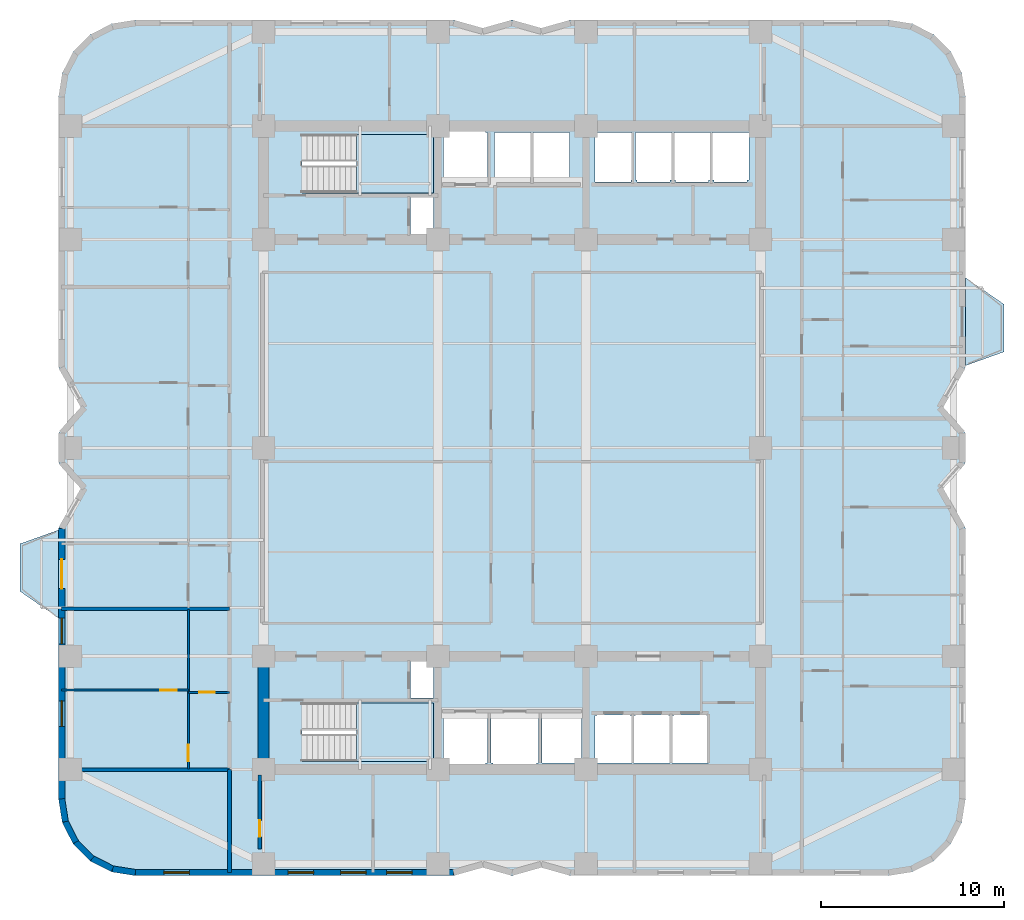
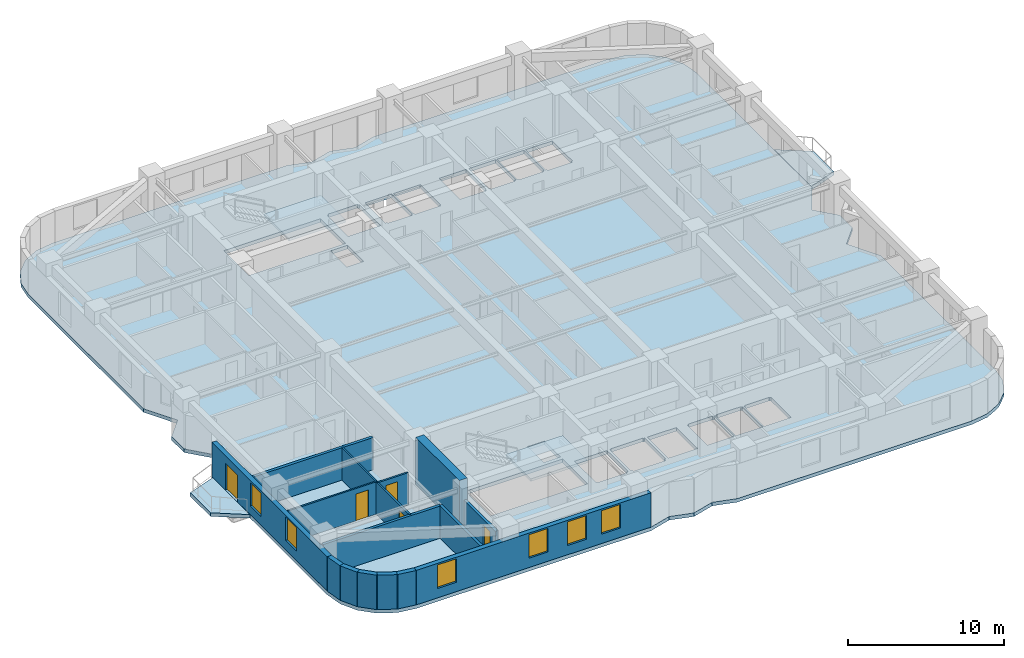
# One storey, part 2 of 9: 15 walls, 6 windows, 5 doors, 5 slabs, 11 openings, 2 elements without a shape of their own.
"""IFC4 building model written with IfcOpenShell, lengths in metres."""

from ifc_helpers import new_model, si_unit, direction, frame, frame_2d, origin, place, context, subcontext, project, spatial, polyline, rectangle, outline, extrude, material, layer, layer_set, type_object, element, fill, aggregate, save


model = new_model("IFC4")

# Units and contexts
model_context = context("Model", 3, precision=1e-05, world=origin(), true_north=direction((0.0, 1.0)))
body_context = subcontext(model_context, "Body", "Model", "MODEL_VIEW")
ifc_project = project(units=[si_unit("LENGTHUNIT", "METRE"), si_unit("AREAUNIT", "SQUARE_METRE"), si_unit("VOLUMEUNIT", "CUBIC_METRE"), si_unit("PLANEANGLEUNIT", "RADIAN"), si_unit("MASSUNIT", "GRAM", prefix="KILO")], contexts=[model_context])

# Site, building, storey
site_placement = place(None, origin())
site = spatial("IfcSite", under=ifc_project, at=site_placement, CompositionType="ELEMENT")
building_placement = place(site_placement, origin())
building = spatial("IfcBuilding", under=site, at=building_placement, Name="Svetorya Sky Lyceum", CompositionType="ELEMENT")
storey_placement = place(building_placement, frame((0.0, 0.0, 51.0)))
storey = spatial("IfcBuildingStorey", under=building, at=storey_placement, Name="L12", CompositionType="ELEMENT", Elevation=51.0)

# Slabs
ifc_material_1 = material(Name="Concrete C40/50", Category="concrete")
ifc_layer_1 = layer(ifc_material_1, 0.280029296875)
ifc_layer_set_1 = layer_set([ifc_layer_1], Name="Concrete C40/50")
slab_type_1 = type_object("IfcSlabType", Name="SL-BAL-280", PredefinedType="FLOOR", material=ifc_layer_set_1)
slab_1_placement = place(storey_placement, frame((0.0, 0.0, -0.280029296875)))
element("IfcSlab", 1, at=slab_1_placement, inside=storey, type_object=slab_type_1, Name="L12 Chamfered Loggia Balcony BAL-W1", PredefinedType="FLOOR", context=body_context, shape_type="SweptSolid", body=[
    extrude(outline(polyline([(14.389892578125, 18.89990234375), (14.389892578125, 23.699951171875), (12.2900390625, 22.949951171875), (12.2900390625, 20.35009765625), (14.389892578125, 18.89990234375)])), origin(), (0.0, 0.0, 1.0), 0.280029296875),
])
slab_2_placement = place(storey_placement, frame((0.0, 0.0, -0.280029296875)))
element("IfcSlab", 2, at=slab_2_placement, inside=storey, type_object=slab_type_1, Name="L12 Chamfered Loggia Balcony BAL-E1", PredefinedType="FLOOR", context=body_context, shape_type="SweptSolid", body=[
    extrude(outline(polyline([(64.010009765625, 32.699951171875), (66.110107421875, 33.449951171875), (66.110107421875, 36.050048828125), (64.010009765625, 37.5), (64.010009765625, 32.699951171875)])), origin(), (0.0, 0.0, 1.0), 0.280029296875),
])

# Stair, slab
stair_type_1 = type_object("IfcStairType", Name="STR-ST-S", PredefinedType="HALF_TURN_STAIR", material=ifc_material_1)
stair_1_placement = place(storey_placement, origin())
stair_1 = element("IfcStair", 3, at=stair_1_placement, inside=storey, type_object=stair_type_1, Name="L12 South Core Smoke-Free Exit Stair N2", PredefinedType="HALF_TURN_STAIR")
ifc_layer_2 = layer(ifc_material_1, 0.199951171875)
ifc_layer_set_2 = layer_set([ifc_layer_2], Name="Concrete C40/50")
slab_type_2 = type_object("IfcSlabType", Name="SL-STR-LAND-200", PredefinedType="LANDING", material=ifc_layer_set_2)
slab_3_placement = place(storey_placement, frame((0.0, 0.0, 1.64990234375)))
slab_3 = element("IfcSlab", 4, at=slab_3_placement, type_object=slab_type_2, Name="ST-S landing 1", PredefinedType="LANDING", context=body_context, shape_type="SweptSolid", body=[
    extrude(outline(polyline([(30.699951171875, 11.050048828125), (34.89990234375, 11.050048828125), (34.89990234375, 14.25), (30.699951171875, 14.25), (30.699951171875, 11.050048828125)])), origin(), (0.0, 0.0, 1.0), 0.2001953125),
])
aggregate(stair_1, [slab_3])

stair_type_2 = type_object("IfcStairType", Name="STR-ST-N", PredefinedType="HALF_TURN_STAIR", material=ifc_material_1)
stair_2_placement = place(storey_placement, origin())
stair_2 = element("IfcStair", 5, at=stair_2_placement, inside=storey, type_object=stair_type_2, Name="L12 North Core Smoke-Free Exit Stair N3", PredefinedType="HALF_TURN_STAIR")
slab_4_placement = place(storey_placement, frame((0.0, 0.0, 1.64990234375)))
slab_4 = element("IfcSlab", 6, at=slab_4_placement, type_object=slab_type_2, Name="ST-N landing 1", PredefinedType="LANDING", context=body_context, shape_type="SweptSolid", body=[
    extrude(outline(polyline([(30.699951171875, 42.14990234375), (34.89990234375, 42.14990234375), (34.89990234375, 45.35009765625), (30.699951171875, 45.35009765625), (30.699951171875, 42.14990234375)])), origin(), (0.0, 0.0, 1.0), 0.2001953125),
])
aggregate(stair_2, [slab_4])

# Slab
ifc_material_2 = material(Name="Concrete C50/60", Category="concrete")
ifc_layer_3 = layer(ifc_material_2, 0.280029296875)
ifc_layer_set_3 = layer_set([ifc_layer_3], Name="Concrete C50/60")
slab_type_3 = type_object("IfcSlabType", Name="SL-TWR-280", PredefinedType="FLOOR", material=ifc_layer_set_3)
slab_5_placement = place(storey_placement, frame((0.0, 0.0, -0.280029296875)))
element("IfcSlab", 7, at=slab_5_placement, inside=storey, type_object=slab_type_3, Name="L12 Structural Floor Slab", PredefinedType="FLOOR", context=body_context, shape_type="SweptSolid", body=[
    extrude(outline(polyline([(14.39990234375, 9.0), (14.605712890625, 7.7021484375), (15.2021484375, 6.53125), (16.13134765625, 5.60205078125), (17.302001953125, 5.005615234375), (18.60009765625, 4.800048828125), (36.0, 4.800048828125), (37.60009765625, 5.25), (39.199951171875, 4.800048828125), (40.800048828125, 5.25), (42.39990234375, 4.800048828125), (59.800048828125, 4.800048828125), (61.097900390625, 5.005615234375), (62.268798828125, 5.60205078125), (63.197998046875, 6.53125), (63.79443359375, 7.7021484375), (64.0, 9.0), (64.0, 23.800048828125), (62.75, 26.0), (64.0, 27.39990234375), (64.0, 29.0), (62.75, 30.39990234375), (64.0, 32.60009765625), (64.0, 47.39990234375), (63.79443359375, 48.697998046875), (63.197998046875, 49.86865234375), (62.268798828125, 50.7978515625), (61.097900390625, 51.394287109375), (59.800048828125, 51.60009765625), (42.39990234375, 51.60009765625), (40.800048828125, 51.14990234375), (39.199951171875, 51.60009765625), (37.60009765625, 51.14990234375), (36.0, 51.60009765625), (18.60009765625, 51.60009765625), (17.302001953125, 51.394287109375), (16.13134765625, 50.7978515625), (15.2021484375, 49.86865234375), (14.605712890625, 48.697998046875), (14.39990234375, 47.39990234375), (14.39990234375, 32.60009765625), (15.64990234375, 30.39990234375), (14.39990234375, 29.0), (14.39990234375, 27.39990234375), (15.64990234375, 26.0), (14.39990234375, 23.800048828125), (14.39990234375, 9.0)]), holes=[polyline([(35.550048828125, 13.64990234375), (37.75, 13.64990234375), (37.85009765625, 13.64990234375), (37.85009765625, 10.949951171875), (37.75, 10.949951171875), (37.75, 10.85009765625), (35.550048828125, 10.85009765625), (35.550048828125, 10.949951171875), (35.449951171875, 10.949951171875), (35.449951171875, 13.64990234375), (35.550048828125, 13.64990234375)]), polyline([(40.64990234375, 10.949951171875), (40.550048828125, 10.949951171875), (40.550048828125, 10.800048828125), (38.14990234375, 10.800048828125), (38.14990234375, 10.949951171875), (38.050048828125, 10.949951171875), (38.050048828125, 13.64990234375), (38.14990234375, 13.64990234375), (38.14990234375, 13.699951171875), (40.550048828125, 13.699951171875), (40.550048828125, 13.64990234375), (40.64990234375, 13.64990234375), (40.64990234375, 10.949951171875)]), polyline([(40.85009765625, 13.64990234375), (43.0, 13.64990234375), (43.0, 10.949951171875), (40.85009765625, 10.949951171875), (40.85009765625, 13.64990234375)]), polyline([(27.719970703125, 14.25), (34.89990234375, 14.25), (34.89990234375, 11.050048828125), (27.719970703125, 11.050048828125), (27.719970703125, 14.25)]), polyline([(33.64990234375, 16.580078125), (34.89990234375, 16.580078125), (34.89990234375, 14.52001953125), (33.64990234375, 14.52001953125), (33.64990234375, 16.580078125)]), polyline([(33.64990234375, 39.820068359375), (33.64990234375, 41.89990234375), (34.89990234375, 41.89990234375), (34.89990234375, 39.820068359375), (33.64990234375, 39.820068359375)]), polyline([(27.719970703125, 45.35009765625), (34.89990234375, 45.35009765625), (34.89990234375, 42.14990234375), (27.719970703125, 42.14990234375), (27.719970703125, 45.35009765625)]), polyline([(35.550048828125, 42.75), (35.449951171875, 42.75), (35.449951171875, 45.449951171875), (35.550048828125, 45.449951171875), (35.550048828125, 45.550048828125), (37.75, 45.550048828125), (37.75, 45.449951171875), (37.85009765625, 45.449951171875), (37.85009765625, 42.75), (37.75, 42.75), (35.550048828125, 42.75)]), polyline([(40.199951171875, 42.85009765625), (40.199951171875, 42.75), (38.39990234375, 42.75), (38.39990234375, 42.85009765625), (38.25, 42.85009765625), (38.25, 45.449951171875), (38.39990234375, 45.449951171875), (40.199951171875, 45.449951171875), (40.25, 45.449951171875), (40.25, 42.85009765625), (40.199951171875, 42.85009765625)]), polyline([(40.39990234375, 42.85009765625), (40.35009765625, 42.85009765625), (40.35009765625, 45.449951171875), (40.39990234375, 45.449951171875), (42.300048828125, 45.449951171875), (42.35009765625, 45.449951171875), (42.35009765625, 42.85009765625), (42.300048828125, 42.85009765625), (42.300048828125, 42.75), (40.39990234375, 42.75), (40.39990234375, 42.85009765625)]), polyline([(43.85009765625, 10.949951171875), (43.75, 10.949951171875), (43.75, 13.550048828125), (43.85009765625, 13.550048828125), (43.85009765625, 13.60009765625), (45.64990234375, 13.60009765625), (45.64990234375, 13.550048828125), (45.75, 13.550048828125), (45.75, 10.949951171875), (45.64990234375, 10.949951171875), (43.85009765625, 10.949951171875)]), polyline([(45.949951171875, 10.949951171875), (45.85009765625, 10.949951171875), (45.85009765625, 13.550048828125), (45.949951171875, 13.550048828125), (45.949951171875, 13.60009765625), (47.75, 13.60009765625), (47.75, 13.550048828125), (47.85009765625, 13.550048828125), (47.85009765625, 10.949951171875), (47.75, 10.949951171875), (45.949951171875, 10.949951171875)]), polyline([(49.85009765625, 13.550048828125), (49.949951171875, 13.550048828125), (49.949951171875, 10.949951171875), (49.85009765625, 10.949951171875), (48.050048828125, 10.949951171875), (47.949951171875, 10.949951171875), (47.949951171875, 13.550048828125), (48.050048828125, 13.550048828125), (48.050048828125, 13.60009765625), (49.85009765625, 13.60009765625), (49.85009765625, 13.550048828125)]), polyline([(43.75, 42.85009765625), (43.75, 45.449951171875), (45.699951171875, 45.449951171875), (45.75, 45.449951171875), (45.75, 42.85009765625), (45.699951171875, 42.85009765625), (45.699951171875, 42.75), (43.75, 42.75), (43.75, 42.85009765625)]), polyline([(46.050048828125, 42.85009765625), (45.949951171875, 42.85009765625), (45.949951171875, 45.449951171875), (46.050048828125, 45.449951171875), (47.85009765625, 45.449951171875), (47.949951171875, 45.449951171875), (47.949951171875, 42.85009765625), (47.85009765625, 42.85009765625), (47.85009765625, 42.75), (46.050048828125, 42.75), (46.050048828125, 42.85009765625)]), polyline([(48.14990234375, 42.85009765625), (48.050048828125, 42.85009765625), (48.050048828125, 45.449951171875), (48.14990234375, 45.449951171875), (49.949951171875, 45.449951171875), (50.050048828125, 45.449951171875), (50.050048828125, 42.85009765625), (49.949951171875, 42.85009765625), (49.949951171875, 42.75), (48.14990234375, 42.75), (48.14990234375, 42.85009765625)]), polyline([(50.25, 42.85009765625), (50.14990234375, 42.85009765625), (50.14990234375, 45.449951171875), (50.25, 45.449951171875), (52.050048828125, 45.449951171875), (52.14990234375, 45.449951171875), (52.14990234375, 42.85009765625), (52.050048828125, 42.85009765625), (52.050048828125, 42.75), (50.25, 42.75), (50.25, 42.85009765625)])]), origin(), (0.0, 0.0, 1.0), 0.280029296875),
])

# Walls
ifc_material_3 = material(Name="Concrete C60/75", Category="concrete")
ifc_layer_4 = layer(ifc_material_3, 0.60009765625)
ifc_layer_set_4 = layer_set([ifc_layer_4], Name="Concrete C60/75")
wall_type_1 = type_object("IfcWallType", Name="WL-CORE-600", PredefinedType="SHEAR", material=ifc_layer_set_4)
wall_1_placement = place(storey_placement, frame((25.60009765625, 10.89990234375, 0.0), z_axis=(0.0, 0.0, 1.0), x_axis=(0.0, 1.0, 0.0)))
element("IfcWall", 8, at=wall_1_placement, inside=storey, type_object=wall_type_1, Name="L12 SC West Core Shear Wall", PredefinedType="SHEAR", context=body_context, shape_type="SweptSolid", body=[
    extrude(rectangle(XDim=5.60009765625, YDim=0.60009765625, at=frame_2d((2.800048828125, 0.0))), origin(), (0.0, 0.0, 1.0), 3.699951171875),
])
ifc_material_4 = material(Name="Putilovo limestone rainscreen on autoclaved cellular masonry", Category="masonry")
ifc_layer_5 = layer(ifc_material_4, 0.340087890625)
ifc_layer_set_5 = layer_set([ifc_layer_5], Name="Putilovo limestone rainscreen on autoclaved cellular masonry")
wall_type_2 = type_object("IfcWallType", Name="WL-EXT-340", PredefinedType="SOLIDWALL", material=ifc_layer_set_5)
wall_2_placement = place(storey_placement, frame((14.570068359375, 9.0, 0.0), z_axis=(0.0, 0.0, 1.0), x_axis=(0.156260864002, -0.98771582066, 0.0)))
element("IfcWall", 9, at=wall_2_placement, inside=storey, type_object=wall_type_2, Name="L12 Limestone Exterior Wall 1M", PredefinedType="SOLIDWALL", context=body_context, shape_type="SweptSolid", body=[
    extrude(rectangle(XDim=1.2607421875, YDim=0.340087890625, at=frame_2d((0.63037109375, 0.0))), origin(), (0.0, 0.0, 1.0), 2.699951171875),
])
wall_3_placement = place(storey_placement, frame((14.76708984375, 7.754638671875, 0.0), z_axis=(0.0, 0.0, 1.0), x_axis=(0.454015689056, -0.890993689142, 0.0)))
element("IfcWall", 10, at=wall_3_placement, inside=storey, type_object=wall_type_2, Name="L12 Limestone Exterior Wall 2M", PredefinedType="SOLIDWALL", context=body_context, shape_type="SweptSolid", body=[
    extrude(rectangle(XDim=1.260986328125, YDim=0.340087890625, at=frame_2d((0.63037109375, 0.0))), origin(), (0.0, 0.0, 1.0), 2.699951171875),
])
wall_4_placement = place(storey_placement, frame((15.339599609375, 6.631103515625, 0.0), z_axis=(0.0, 0.0, 1.0), x_axis=(0.707203598708, -0.707009950407, 0.0)))
element("IfcWall", 11, at=wall_4_placement, inside=storey, type_object=wall_type_2, Name="L12 Limestone Exterior Wall 3M", PredefinedType="SOLIDWALL", context=body_context, shape_type="SweptSolid", body=[
    extrude(rectangle(XDim=1.2607421875, YDim=0.340087890625, at=frame_2d((0.63037109375, 0.0))), origin(), (0.0, 0.0, 1.0), 2.699951171875),
])
for number, where, z_axis, x_axis, name in (
    (12, (16.231201171875, 5.73974609375, 0.0), (0.0, 0.0, 1.0), (0.890993689142, -0.454015689056, 0.0), "L12 Limestone Exterior Wall 4M"),
    (13, (17.354736328125, 5.167236328125, 0.0), (0.0, 0.0, 1.0), (0.987685918112, -0.15644975923, 0.0), "L12 Limestone Exterior Wall 5M"),
):
    element("IfcWall", number, at=place(storey_placement, frame(where, z_axis=z_axis, x_axis=x_axis)), inside=storey, type_object=wall_type_2, Name=name, PredefinedType="SOLIDWALL", context=body_context, shape_type="SweptSolid", body=[
        extrude(rectangle(XDim=1.260986328125, YDim=0.340087890625, at=frame_2d((0.63037109375, 0.0))), origin(), (0.0, 0.0, 1.0), 2.699951171875),
    ])

# Wall, openings, windows
wall_5_placement = place(storey_placement, frame((18.60009765625, 4.969970703125, 0.0), z_axis=(0.0, 0.0, 1.0), x_axis=(1.0, 0.0, 0.0)))
wall_5 = element("IfcWall", 14, at=wall_5_placement, inside=storey, type_object=wall_type_2, Name="L12 Limestone Exterior Wall 6M", PredefinedType="SOLIDWALL", context=body_context, shape_type="SweptSolid", body=[
    extrude(rectangle(XDim=17.39990234375, YDim=0.340087890625, at=frame_2d((8.699951171875, 0.0))), origin(), (0.0, 0.0, 1.0), 2.699951171875),
])
opening_1_placement = place(wall_5_placement, frame((1.56005859375, 0.0, 0.72998046875)))
opening_1 = element("IfcOpeningElement", 15, at=opening_1_placement, cuts=wall_5, Name="Opening W-R2", PredefinedType="OPENING", context=body_context, shape_type="SweptSolid", body=[
    extrude(rectangle(XDim=1.39990234375, YDim=1.85009765625, at=frame_2d((0.699951171875, 0.925048828125))), frame((0.0, 0.179931640625, 0.0), z_axis=(0.0, -1.0, 0.0), x_axis=(1.0, 0.0, 0.0)), (0.0, 0.0, 1.0), 0.360107421875),
])
opening_2_placement = place(wall_5_placement, frame((8.35009765625, 0.0, 0.72998046875)))
opening_2 = element("IfcOpeningElement", 16, at=opening_2_placement, cuts=wall_5, Name="Opening W-R2", PredefinedType="OPENING", context=body_context, shape_type="SweptSolid", body=[
    extrude(rectangle(XDim=1.39990234375, YDim=1.85009765625, at=frame_2d((0.699951171875, 0.925048828125))), frame((0.0, 0.179931640625, 0.0), z_axis=(0.0, -1.0, 0.0), x_axis=(1.0, 0.0, 0.0)), (0.0, 0.0, 1.0), 0.360107421875),
])
opening_3_placement = place(wall_5_placement, frame((11.219970703125, 0.0, 0.72998046875)))
opening_3 = element("IfcOpeningElement", 17, at=opening_3_placement, cuts=wall_5, Name="Opening W-R2", PredefinedType="OPENING", context=body_context, shape_type="SweptSolid", body=[
    extrude(rectangle(XDim=1.39990234375, YDim=1.85009765625, at=frame_2d((0.699951171875, 0.925048828125))), frame((0.0, 0.179931640625, 0.0), z_axis=(0.0, -1.0, 0.0), x_axis=(1.0, 0.0, 0.0)), (0.0, 0.0, 1.0), 0.360107421875),
])
opening_4_placement = place(wall_5_placement, frame((13.739990234375, 0.0, 0.72998046875)))
opening_4 = element("IfcOpeningElement", 18, at=opening_4_placement, cuts=wall_5, Name="Opening W-R2", PredefinedType="OPENING", context=body_context, shape_type="SweptSolid", body=[
    extrude(rectangle(XDim=1.39990234375, YDim=1.85009765625, at=frame_2d((0.699951171875, 0.925048828125))), frame((0.0, 0.179931640625, 0.0), z_axis=(0.0, -1.0, 0.0), x_axis=(1.0, 0.0, 0.0)), (0.0, 0.0, 1.0), 0.360107421875),
])
ifc_material_5 = material(Name="Thermally broken aluminium frame with triple low-E glazing", Category="aluminium")
window_type = type_object("IfcWindowType", Name="WN-RES-140", PartitioningType="SINGLE_PANEL", PredefinedType="WINDOW", material=ifc_material_5)
window_1_placement = place(opening_1_placement, origin())
window_1 = element("IfcWindow", 19, at=window_1_placement, inside=storey, type_object=window_type, Name="L12 Facade Window W-R2.6M.1", OverallHeight=1.85009765625, OverallWidth=1.39990234375, PartitioningType="SINGLE_PANEL", PredefinedType="WINDOW", context=body_context, shape_type="SweptSolid", body=[
    extrude(rectangle(XDim=1.39990234375, YDim=1.85009765625, at=frame_2d((0.699951171875, 0.925048828125))), frame((0.0, 0.030029296875, 0.0), z_axis=(0.0, -1.0, 0.0), x_axis=(1.0, 0.0, 0.0)), (0.0, 0.0, 1.0), 0.06005859375),
])
fill(opening_1, window_1)
window_2_placement = place(opening_2_placement, origin())
window_2 = element("IfcWindow", 20, at=window_2_placement, inside=storey, type_object=window_type, Name="L12 Facade Window W-R2.6M.2", OverallHeight=1.85009765625, OverallWidth=1.39990234375, PartitioningType="SINGLE_PANEL", PredefinedType="WINDOW", context=body_context, shape_type="SweptSolid", body=[
    extrude(rectangle(XDim=1.39990234375, YDim=1.85009765625, at=frame_2d((0.699951171875, 0.925048828125))), frame((0.0, 0.030029296875, 0.0), z_axis=(0.0, -1.0, 0.0), x_axis=(1.0, 0.0, 0.0)), (0.0, 0.0, 1.0), 0.06005859375),
])
fill(opening_2, window_2)
window_3_placement = place(opening_3_placement, origin())
window_3 = element("IfcWindow", 21, at=window_3_placement, inside=storey, type_object=window_type, Name="L12 Facade Window W-R2.6M.3", OverallHeight=1.85009765625, OverallWidth=1.39990234375, PartitioningType="SINGLE_PANEL", PredefinedType="WINDOW", context=body_context, shape_type="SweptSolid", body=[
    extrude(rectangle(XDim=1.39990234375, YDim=1.85009765625, at=frame_2d((0.699951171875, 0.925048828125))), frame((0.0, 0.030029296875, 0.0), z_axis=(0.0, -1.0, 0.0), x_axis=(1.0, 0.0, 0.0)), (0.0, 0.0, 1.0), 0.06005859375),
])
fill(opening_3, window_3)
window_4_placement = place(opening_4_placement, origin())
window_4 = element("IfcWindow", 22, at=window_4_placement, inside=storey, type_object=window_type, Name="L12 Facade Window W-R2.6M.4", OverallHeight=1.85009765625, OverallWidth=1.39990234375, PartitioningType="SINGLE_PANEL", PredefinedType="WINDOW", context=body_context, shape_type="SweptSolid", body=[
    extrude(rectangle(XDim=1.39990234375, YDim=1.85009765625, at=frame_2d((0.699951171875, 0.925048828125))), frame((0.0, 0.030029296875, 0.0), z_axis=(0.0, -1.0, 0.0), x_axis=(1.0, 0.0, 0.0)), (0.0, 0.0, 1.0), 0.06005859375),
])
fill(opening_4, window_4)

# Wall, openings, door, windows
wall_6_placement = place(storey_placement, frame((14.570068359375, 23.800048828125, 0.0), z_axis=(0.0, 0.0, 1.0), x_axis=(0.0, -1.0, 0.0)))
wall_6 = element("IfcWall", 23, at=wall_6_placement, inside=storey, type_object=wall_type_2, Name="L12 Limestone Exterior Wall 46M", PredefinedType="SOLIDWALL", context=body_context, shape_type="SweptSolid", body=[
    extrude(rectangle(XDim=14.800048828125, YDim=0.340087890625, at=frame_2d((7.39990234375, 0.0))), origin(), (0.0, 0.0, 1.0), 2.699951171875),
])
opening_5_placement = place(wall_6_placement, frame((1.699951171875, 0.0, 0.0)))
opening_5 = element("IfcOpeningElement", 24, at=opening_5_placement, cuts=wall_6, Name="Opening D-BL1", PredefinedType="OPENING", context=body_context, shape_type="SweptSolid", body=[
    extrude(rectangle(XDim=1.60009765625, YDim=2.10009765625, at=frame_2d((0.800048828125, 1.050048828125))), frame((0.0, 0.179931640625, 0.0), z_axis=(0.0, -1.0, 0.0), x_axis=(1.0, 0.0, 0.0)), (0.0, 0.0, 1.0), 0.360107421875),
])
opening_6_placement = place(wall_6_placement, frame((4.919921875, 0.0, 0.68994140625)))
opening_6 = element("IfcOpeningElement", 25, at=opening_6_placement, cuts=wall_6, Name="Opening W-R2", PredefinedType="OPENING", context=body_context, shape_type="SweptSolid", body=[
    extrude(rectangle(XDim=1.39990234375, YDim=1.85009765625, at=frame_2d((0.699951171875, 0.925048828125))), frame((0.0, 0.179931640625, 0.0), z_axis=(0.0, -1.0, 0.0), x_axis=(1.0, 0.0, 0.0)), (0.0, 0.0, 1.0), 0.360107421875),
])
opening_7_placement = place(wall_6_placement, frame((9.4375, 0.0, 0.72998046875)))
opening_7 = element("IfcOpeningElement", 26, at=opening_7_placement, cuts=wall_6, Name="Opening W-R2", PredefinedType="OPENING", context=body_context, shape_type="SweptSolid", body=[
    extrude(rectangle(XDim=1.39990234375, YDim=1.85009765625, at=frame_2d((0.699951171875, 0.925048828125))), frame((0.0, 0.179931640625, 0.0), z_axis=(0.0, -1.0, 0.0), x_axis=(1.0, 0.0, 0.0)), (0.0, 0.0, 1.0), 0.360107421875),
])
ifc_material_6 = material(Name="Insulated glazed aluminium balcony door", Category="aluminium")
door_type_1 = type_object("IfcDoorType", Name="DR-BAL-1600", OperationType="DOUBLE_DOOR_SINGLE_SWING", PredefinedType="DOOR", material=ifc_material_6)
door_1_placement = place(opening_5_placement, origin())
door_1 = element("IfcDoor", 27, at=door_1_placement, inside=storey, type_object=door_type_1, Name="L12 Balcony BAL-W1 Door", OperationType="DOUBLE_DOOR_SINGLE_SWING", OverallHeight=2.10009765625, OverallWidth=1.60009765625, PredefinedType="DOOR", context=body_context, shape_type="SweptSolid", body=[
    extrude(rectangle(XDim=1.60009765625, YDim=2.10009765625, at=frame_2d((0.800048828125, 1.050048828125))), frame((0.0, 0.02490234375, 0.0), z_axis=(0.0, -1.0, 0.0), x_axis=(1.0, 0.0, 0.0)), (0.0, 0.0, 1.0), 0.050048828125),
])
fill(opening_5, door_1)
window_5_placement = place(opening_6_placement, origin())
window_5 = element("IfcWindow", 28, at=window_5_placement, inside=storey, type_object=window_type, Name="L12 Facade Window W-R2.46M.2", OverallHeight=1.85009765625, OverallWidth=1.39990234375, PartitioningType="SINGLE_PANEL", PredefinedType="WINDOW", context=body_context, shape_type="SweptSolid", body=[
    extrude(rectangle(XDim=1.39990234375, YDim=1.85009765625, at=frame_2d((0.699951171875, 0.925048828125))), frame((0.0, 0.030029296875, 0.0), z_axis=(0.0, -1.0, 0.0), x_axis=(1.0, 0.0, 0.0)), (0.0, 0.0, 1.0), 0.06005859375),
])
fill(opening_6, window_5)
window_6_placement = place(opening_7_placement, origin())
window_6 = element("IfcWindow", 29, at=window_6_placement, inside=storey, type_object=window_type, Name="L12 Facade Window W-R2.46M.1", OverallHeight=1.85009765625, OverallWidth=1.39990234375, PartitioningType="SINGLE_PANEL", PredefinedType="WINDOW", context=body_context, shape_type="SweptSolid", body=[
    extrude(rectangle(XDim=1.39990234375, YDim=1.85009765625, at=frame_2d((0.699951171875, 0.925048828125))), frame((0.0, 0.030029296875, 0.0), z_axis=(0.0, -1.0, 0.0), x_axis=(1.0, 0.0, 0.0)), (0.0, 0.0, 1.0), 0.06005859375),
])
fill(opening_7, window_6)

# Wall, opening, door
ifc_material_7 = material(Name="Twin-stud galvanized framing with double fireboard", Category="gypsum")
ifc_layer_6 = layer(ifc_material_7, 0.1201171875)
ifc_layer_set_6 = layer_set([ifc_layer_6], Name="Twin-stud galvanized framing with double fireboard")
wall_type_3 = type_object("IfcWallType", Name="WL-PART-120", PredefinedType="PARTITIONING", material=ifc_layer_set_6)
wall_7_placement = place(storey_placement, frame((21.5, 14.820068359375, 0.0), z_axis=(0.0, 0.0, 1.0), x_axis=(1.0, 0.0, 0.0)))
wall_7 = element("IfcWall", 30, at=wall_7_placement, inside=storey, type_object=wall_type_3, Name="L12 Interior Partition W1-WH1", PredefinedType="PARTITIONING", context=body_context, shape_type="SweptSolid", body=[
    extrude(rectangle(XDim=2.25, YDim=0.1201171875, at=frame_2d((1.125, 0.0))), origin(), (0.0, 0.0, 1.0), 2.530029296875),
])
opening_8_placement = place(wall_7_placement, frame((0.60009765625, 0.0, 0.0)))
opening_8 = element("IfcOpeningElement", 31, at=opening_8_placement, cuts=wall_7, Name="Opening D-BT1", PredefinedType="OPENING", context=body_context, shape_type="SweptSolid", body=[
    extrude(rectangle(XDim=0.85009765625, YDim=2.10009765625, at=frame_2d((0.425048828125, 1.050048828125))), frame((0.0, 0.070068359375, 0.0), z_axis=(0.0, -1.0, 0.0), x_axis=(1.0, 0.0, 0.0)), (0.0, 0.0, 1.0), 0.14013671875),
])
ifc_material_8 = material(Name="Moisture-resistant laminate bathroom door")
door_type_2 = type_object("IfcDoorType", Name="DR-WET-850", OperationType="SINGLE_SWING_LEFT", PredefinedType="DOOR", material=ifc_material_8)
door_2_placement = place(opening_8_placement, origin())
door_2 = element("IfcDoor", 32, at=door_2_placement, inside=storey, type_object=door_type_2, Name="Apartment W1 Bathroom Door", OperationType="SINGLE_SWING_LEFT", OverallHeight=2.10009765625, OverallWidth=0.85009765625, PredefinedType="DOOR", context=body_context, shape_type="SweptSolid", body=[
    extrude(rectangle(XDim=0.85009765625, YDim=2.10009765625, at=frame_2d((0.425048828125, 1.050048828125))), frame((0.0, 0.02490234375, 0.0), z_axis=(0.0, -1.0, 0.0), x_axis=(1.0, 0.0, 0.0)), (0.0, 0.0, 1.0), 0.050048828125),
])
fill(opening_8, door_2)

wall_8_placement = place(storey_placement, frame((14.570068359375, 14.949951171875, 0.0), z_axis=(0.0, 0.0, 1.0), x_axis=(1.0, 0.0, 0.0)))
wall_8 = element("IfcWall", 33, at=wall_8_placement, inside=storey, type_object=wall_type_3, Name="L12 Interior Partition W1-WL1", PredefinedType="PARTITIONING", context=body_context, shape_type="SweptSolid", body=[
    extrude(rectangle(XDim=6.929931640625, YDim=0.1201171875, at=frame_2d((3.46484375, 0.0))), origin(), (0.0, 0.0, 1.0), 2.530029296875),
])
opening_9_placement = place(wall_8_placement, frame((5.3798828125, 0.0, 0.0)))
opening_9 = element("IfcOpeningElement", 34, at=opening_9_placement, cuts=wall_8, Name="Opening D-RM1", PredefinedType="OPENING", context=body_context, shape_type="SweptSolid", body=[
    extrude(rectangle(XDim=0.89990234375, YDim=2.10009765625, at=frame_2d((0.449951171875, 1.050048828125))), frame((0.0, 0.070068359375, 0.0), z_axis=(0.0, -1.0, 0.0), x_axis=(1.0, 0.0, 0.0)), (0.0, 0.0, 1.0), 0.14013671875),
])
ifc_material_9 = material(Name="Lacquered birch veneer internal door")
door_type_3 = type_object("IfcDoorType", Name="DR-INT-900", OperationType="SINGLE_SWING_LEFT", PredefinedType="DOOR", material=ifc_material_9)
door_3_placement = place(opening_9_placement, origin())
door_3 = element("IfcDoor", 35, at=door_3_placement, inside=storey, type_object=door_type_3, Name="Apartment W1 Bedroom 1 Door", OperationType="SINGLE_SWING_LEFT", OverallHeight=2.10009765625, OverallWidth=0.89990234375, PredefinedType="DOOR", context=body_context, shape_type="SweptSolid", body=[
    extrude(rectangle(XDim=0.89990234375, YDim=2.10009765625, at=frame_2d((0.449951171875, 1.050048828125))), frame((0.0, 0.02490234375, 0.0), z_axis=(0.0, -1.0, 0.0), x_axis=(1.0, 0.0, 0.0)), (0.0, 0.0, 1.0), 0.050048828125),
])
fill(opening_9, door_3)

wall_9_placement = place(storey_placement, frame((21.5, 10.639892578125, 0.0), z_axis=(0.0, 0.0, 1.0), x_axis=(0.0, 1.0, 0.0)))
wall_9 = element("IfcWall", 36, at=wall_9_placement, inside=storey, type_object=wall_type_3, Name="L12 Interior Partition W1-WV", PredefinedType="PARTITIONING", context=body_context, shape_type="SweptSolid", body=[
    extrude(rectangle(XDim=8.72021484375, YDim=0.1201171875, at=frame_2d((4.360107421875, 0.0))), origin(), (0.0, 0.0, 1.0), 2.530029296875),
])
opening_10_placement = place(wall_9_placement, frame((0.409912109375, 0.0, 0.0)))
opening_10 = element("IfcOpeningElement", 37, at=opening_10_placement, cuts=wall_9, Name="Opening D-RM1", PredefinedType="OPENING", context=body_context, shape_type="SweptSolid", body=[
    extrude(rectangle(XDim=0.89990234375, YDim=2.10009765625, at=frame_2d((0.449951171875, 1.050048828125))), frame((0.0, 0.070068359375, 0.0), z_axis=(0.0, -1.0, 0.0), x_axis=(1.0, 0.0, 0.0)), (0.0, 0.0, 1.0), 0.14013671875),
])
door_4_placement = place(opening_10_placement, origin())
door_4 = element("IfcDoor", 38, at=door_4_placement, inside=storey, type_object=door_type_3, Name="Apartment W1 Living Door", OperationType="SINGLE_SWING_RIGHT", OverallHeight=2.10009765625, OverallWidth=0.89990234375, PredefinedType="DOOR", context=body_context, shape_type="SweptSolid", body=[
    extrude(rectangle(XDim=0.89990234375, YDim=2.10009765625, at=frame_2d((0.449951171875, 1.050048828125))), frame((0.0, 0.02490234375, 0.0), z_axis=(0.0, -1.0, 0.0), x_axis=(1.0, 0.0, 0.0)), (0.0, 0.0, 1.0), 0.050048828125),
])
fill(opening_10, door_4)

# Walls
ifc_material_10 = material(Name="Autoclaved cellular masonry blockwork with gypsum plaster", Category="masonry")
ifc_layer_7 = layer(ifc_material_10, 0.199951171875)
ifc_layer_set_7 = layer_set([ifc_layer_7], Name="Autoclaved cellular masonry blockwork with gypsum plaster")
wall_type_4 = type_object("IfcWallType", Name="WL-PART-200", PredefinedType="PARTITIONING", material=ifc_layer_set_7)
wall_10_placement = place(storey_placement, frame((14.570068359375, 19.39990234375, 0.0), z_axis=(0.0, 0.0, 1.0), x_axis=(1.0, 0.0, 0.0)))
element("IfcWall", 39, at=wall_10_placement, inside=storey, type_object=wall_type_4, Name="L12 Interior Partition W-PARTY-1", PredefinedType="PARTITIONING", context=body_context, shape_type="SweptSolid", body=[
    extrude(rectangle(XDim=9.179931640625, YDim=0.199951171875, at=frame_2d((4.58984375, 0.0))), origin(), (0.0, 0.0, 1.0), 2.530029296875),
])
wall_11_placement = place(storey_placement, frame((14.989990234375, 10.60009765625, 0.0), z_axis=(0.0, 0.0, 1.0), x_axis=(1.0, 0.0, 0.0)))
element("IfcWall", 40, at=wall_11_placement, inside=storey, type_object=wall_type_4, Name="L12 Interior Partition W-CAP-S", PredefinedType="PARTITIONING", context=body_context, shape_type="SweptSolid", body=[
    extrude(rectangle(XDim=8.760009765625, YDim=0.199951171875, at=frame_2d((4.3798828125, 0.0))), origin(), (0.0, 0.0, 1.0), 2.530029296875),
])
wall_12_placement = place(storey_placement, frame((23.75, 4.969970703125, 0.0), z_axis=(0.0, 0.0, 1.0), x_axis=(0.0, 1.0, 0.0)))
element("IfcWall", 41, at=wall_12_placement, inside=storey, type_object=wall_type_4, Name="L12 Interior Partition WC-SW-END", PredefinedType="PARTITIONING", context=body_context, shape_type="SweptSolid", body=[
    extrude(rectangle(XDim=5.630126953125, YDim=0.199951171875, at=frame_2d((2.81494140625, 0.0))), origin(), (0.0, 0.0, 1.0), 2.530029296875),
])

# Wall, opening, door
wall_13_placement = place(storey_placement, frame((25.39990234375, 6.27001953125, 0.0), z_axis=(0.0, 0.0, 1.0), x_axis=(0.0, 1.0, 0.0)))
wall_13 = element("IfcWall", 42, at=wall_13_placement, inside=storey, type_object=wall_type_4, Name="L12 Interior Partition S-EW", PredefinedType="PARTITIONING", context=body_context, shape_type="SweptSolid", body=[
    extrude(rectangle(XDim=4.030029296875, YDim=0.199951171875, at=frame_2d((2.01513671875, 0.0))), origin(), (0.0, 0.0, 1.0), 2.530029296875),
])
opening_11_placement = place(wall_13_placement, frame((0.64990234375, 0.0, 0.0)))
opening_11 = element("IfcOpeningElement", 43, at=opening_11_placement, cuts=wall_13, Name="Opening D-RM1", PredefinedType="OPENING", context=body_context, shape_type="SweptSolid", body=[
    extrude(rectangle(XDim=0.89990234375, YDim=2.10009765625, at=frame_2d((0.449951171875, 1.050048828125))), frame((0.0, 0.10986328125, 0.0), z_axis=(0.0, -1.0, 0.0), x_axis=(1.0, 0.0, 0.0)), (0.0, 0.0, 1.0), 0.219970703125),
])
door_5_placement = place(opening_11_placement, origin())
door_5 = element("IfcDoor", 44, at=door_5_placement, inside=storey, type_object=door_type_3, Name="L12 South Study Door", OperationType="SINGLE_SWING_LEFT", OverallHeight=2.10009765625, OverallWidth=0.89990234375, PredefinedType="DOOR", context=body_context, shape_type="SweptSolid", body=[
    extrude(rectangle(XDim=0.89990234375, YDim=2.10009765625, at=frame_2d((0.449951171875, 1.050048828125))), frame((0.0, 0.02490234375, 0.0), z_axis=(0.0, -1.0, 0.0), x_axis=(1.0, 0.0, 0.0)), (0.0, 0.0, 1.0), 0.050048828125),
])
fill(opening_11, door_5)

save(model, "model.ifc")
